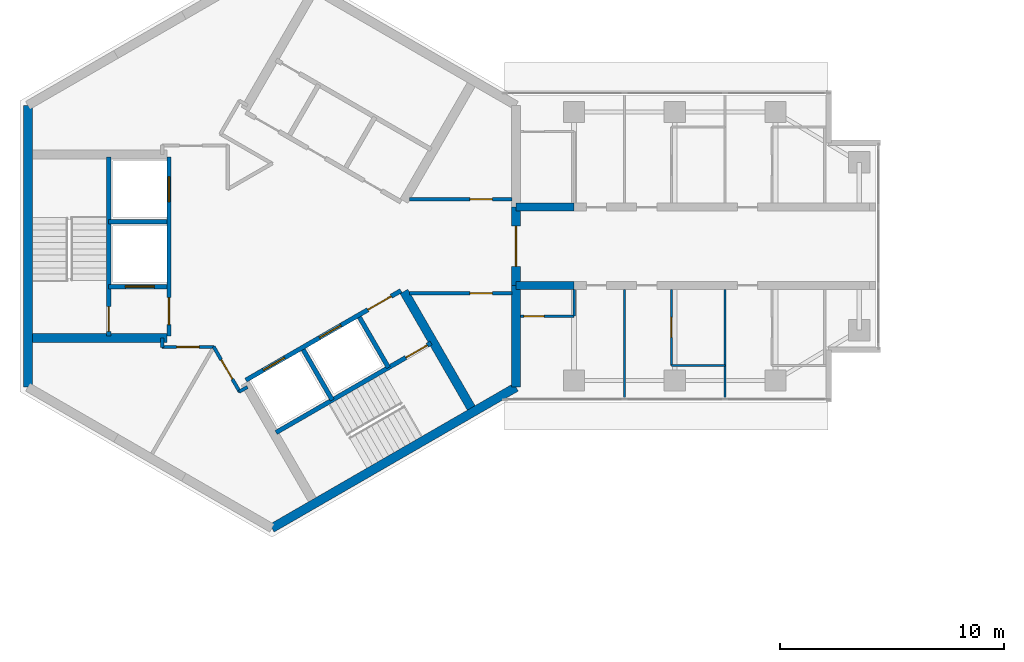
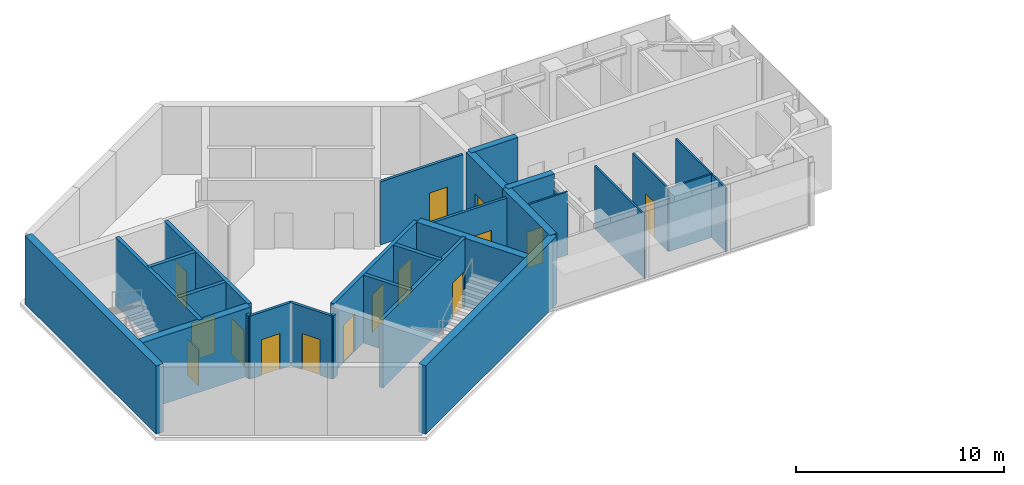
# One storey, part 5 of 11: 28 walls, 15 doors, 15 openings.
"""IFC4 building model written with IfcOpenShell, lengths in metres."""

from ifc_helpers import new_model, si_unit, direction, frame, frame_2d, origin, place, context, subcontext, project, spatial, rectangle, extrude, material, layer, layer_set, type_object, element, fill, save


model = new_model("IFC4")

# Units and contexts
model_context = context("Model", 3, precision=1e-05, world=origin(), true_north=direction((0.0, 1.0)))
body_context = subcontext(model_context, "Body", "Model", "MODEL_VIEW")
ifc_project = project(units=[si_unit("LENGTHUNIT", "METRE"), si_unit("AREAUNIT", "SQUARE_METRE"), si_unit("VOLUMEUNIT", "CUBIC_METRE"), si_unit("PLANEANGLEUNIT", "RADIAN"), si_unit("MASSUNIT", "GRAM", prefix="KILO")], contexts=[model_context])

# Site, building, storey
site_placement = place(None, origin())
site = spatial("IfcSite", under=ifc_project, at=site_placement, CompositionType="ELEMENT")
building_placement = place(site_placement, origin())
building = spatial("IfcBuilding", under=site, at=building_placement, Name="Upepo Twin Towers", CompositionType="ELEMENT")
storey_placement = place(building_placement, frame((0.0, 0.0, 287.5)))
storey = spatial("IfcBuildingStorey", under=building, at=storey_placement, Name="L70", CompositionType="ELEMENT", Elevation=287.5)

# Walls
ifc_material_1 = material(Name="Concrete C60/75", Category="concrete")
ifc_layer_1 = layer(ifc_material_1, 0.35009765625)
ifc_layer_set_1 = layer_set([ifc_layer_1], Name="Concrete C60/75")
wall_type_1 = type_object("IfcWallType", Name="Buttress wall 350 RC", PredefinedType="SHEAR", material=ifc_layer_set_1)
for number, where, z_axis, x_axis, name in (
    (1, (10.908447265625, 1.75, 0.0), (0.0, 0.0, 1.0), (1.0, 0.0, 0.0), "T1 wing A buttress wall L"),
    (2, (10.908447265625, -1.75, 0.0), (0.0, 0.0, 1.0), (1.0, 0.0, 0.0), "T1 wing A buttress wall R"),
):
    element("IfcWall", number, at=place(storey_placement, frame(where, z_axis=z_axis, x_axis=x_axis)), inside=storey, type_object=wall_type_1, Name=name, PredefinedType="SHEAR", context=body_context, shape_type="SweptSolid", body=[
        extrude(rectangle(XDim=2.591552734375, YDim=0.35009765625, at=frame_2d((1.2958984375, 0.0))), origin(), (0.0, 0.0, 1.0), 4.0),
    ])
ifc_material_2 = material(Name="Concrete C60/75", Category="concrete")
ifc_layer_2 = layer(ifc_material_2, 0.39990234375)
ifc_layer_set_2 = layer_set([ifc_layer_2], Name="Concrete C60/75")
wall_type_2 = type_object("IfcWallType", Name="Core wall 400 RC", PredefinedType="SHEAR", material=ifc_layer_set_2)
wall_1_placement = place(storey_placement, frame((10.908447265625, -6.2978515625, 0.0), z_axis=(0.0, 0.0, 1.0), x_axis=(0.0, 1.0, 0.0)))
element("IfcWall", 3, at=wall_1_placement, inside=storey, type_object=wall_type_2, Name="T1 core wall 000 R", PredefinedType="SHEAR", context=body_context, shape_type="SweptSolid", body=[
    extrude(rectangle(XDim=4.5478515625, YDim=0.39990234375, at=frame_2d((2.27392578125, 0.0))), origin(), (0.0, 0.0, 1.0), 4.0),
])

# Wall, opening, door
wall_2_placement = place(storey_placement, frame((10.908447265625, -1.75, 0.0), z_axis=(0.0, 0.0, 1.0), x_axis=(0.0, 1.0, 0.0)))
wall_2 = element("IfcWall", 4, at=wall_2_placement, inside=storey, type_object=wall_type_2, Name="T1 core wall 000", PredefinedType="SHEAR", context=body_context, shape_type="SweptSolid", body=[
    extrude(rectangle(XDim=3.5, YDim=0.39990234375, at=frame_2d((1.75, 0.0))), origin(), (0.0, 0.0, 1.0), 4.0),
])
opening_1_placement = place(wall_2_placement, frame((0.85009765625, 0.0, 0.0)))
opening_1 = element("IfcOpeningElement", 5, at=opening_1_placement, cuts=wall_2, Name="Opening D2", PredefinedType="OPENING", context=body_context, shape_type="SweptSolid", body=[
    extrude(rectangle(XDim=1.800048828125, YDim=2.10009765625, at=frame_2d((0.89990234375, 1.050048828125))), frame((0.0, 0.2099609375, 0.0), z_axis=(0.0, -1.0, 0.0), x_axis=(1.0, 0.0, 0.0)), (0.0, 0.0, 1.0), 0.419921875),
])
ifc_material_3 = material(Name="Timber doorset", Category="wood")
door_type_1 = type_object("IfcDoorType", Name="Corridor double door 1800 FD60", OperationType="DOUBLE_DOOR_DOUBLE_SWING", PredefinedType="DOOR", material=ifc_material_3)
door_1_placement = place(opening_1_placement, origin())
door_1 = element("IfcDoor", 6, at=door_1_placement, inside=storey, type_object=door_type_1, Name="T1 L70 wing A corridor door", OperationType="DOUBLE_DOOR_DOUBLE_SWING", OverallHeight=2.10009765625, OverallWidth=1.800048828125, PredefinedType="DOOR", context=body_context, shape_type="SweptSolid", body=[
    extrude(rectangle(XDim=1.800048828125, YDim=2.10009765625, at=frame_2d((0.89990234375, 1.050048828125))), frame((0.0, 0.02490234375, 0.0), z_axis=(0.0, -1.0, 0.0), x_axis=(1.0, 0.0, 0.0)), (0.0, 0.0, 1.0), 0.050048828125),
])
fill(opening_1, door_1)

# Walls
wall_3_placement = place(storey_placement, frame((-10.908447265625, 6.2978515625, 0.0), z_axis=(0.0, 0.0, 1.0), x_axis=(0.0, -1.0, 0.0)))
element("IfcWall", 7, at=wall_3_placement, inside=storey, type_object=wall_type_2, Name="T1 core wall 180", PredefinedType="SHEAR", context=body_context, shape_type="SweptSolid", body=[
    extrude(rectangle(XDim=12.595703125, YDim=0.39990234375, at=frame_2d((6.2978515625, 0.0))), origin(), (0.0, 0.0, 1.0), 4.0),
])
wall_4_placement = place(storey_placement, frame((0.0, -12.595947265625, 0.0), z_axis=(0.0, 0.0, 1.0), x_axis=(0.866021940709, 0.500005998175, 0.0)))
element("IfcWall", 8, at=wall_4_placement, inside=storey, type_object=wall_type_2, Name="T1 core wall 300", PredefinedType="SHEAR", context=body_context, shape_type="SweptSolid", body=[
    extrude(rectangle(XDim=12.595947265625, YDim=0.39990234375, at=frame_2d((6.2978515625, 0.0))), origin(), (0.0, 0.0, 1.0), 4.0),
])
ifc_material_4 = material(Name="Gypsum board on steel studs", Category="steel")
ifc_layer_3 = layer(ifc_material_4, 0.10009765625)
ifc_layer_set_3 = layer_set([ifc_layer_3], Name="Office partition 100 stud")
wall_type_3 = type_object("IfcWallType", Name="Office partition 100 stud", PredefinedType="PARTITIONING", material=ifc_layer_set_3)
for number, where, z_axis, x_axis, name in (
    (9, (15.75, -1.925048828125, 0.0), (0.0, 0.0, 1.0), (0.0, -1.0, 0.0), "T1 partition AR at 15.75"),
    (10, (20.25, -1.925048828125, 0.0), (0.0, 0.0, 1.0), (0.0, -1.0, 0.0), "T1 partition AR at 20.25"),
):
    element("IfcWall", number, at=place(storey_placement, frame(where, z_axis=z_axis, x_axis=x_axis)), inside=storey, type_object=wall_type_3, Name=name, PredefinedType="PARTITIONING", context=body_context, shape_type="SweptSolid", body=[
        extrude(rectangle(XDim=4.824951171875, YDim=0.10009765625, at=frame_2d((2.41259765625, 0.0))), origin(), (0.0, 0.0, 1.0), 3.699951171875),
    ])
wall_5_placement = place(storey_placement, frame((17.85009765625, -5.324951171875, 0.0), z_axis=(0.0, 0.0, 1.0), x_axis=(1.0, 0.0, 0.0)))
element("IfcWall", 11, at=wall_5_placement, inside=storey, type_object=wall_type_3, Name="T1 inner room partition AR at 17.85", PredefinedType="PARTITIONING", context=body_context, shape_type="SweptSolid", body=[
    extrude(rectangle(XDim=2.39990234375, YDim=0.10009765625, at=frame_2d((1.199951171875, 0.0))), origin(), (0.0, 0.0, 1.0), 3.699951171875),
])

# Wall, opening, door
wall_6_placement = place(storey_placement, frame((17.85009765625, -1.925048828125, 0.0), z_axis=(0.0, 0.0, 1.0), x_axis=(0.0, -1.0, 0.0)))
wall_6 = element("IfcWall", 12, at=wall_6_placement, inside=storey, type_object=wall_type_3, Name="T1 inner room partition AR end at 17.85", PredefinedType="PARTITIONING", context=body_context, shape_type="SweptSolid", body=[
    extrude(rectangle(XDim=3.39990234375, YDim=0.10009765625, at=frame_2d((1.699951171875, 0.0))), origin(), (0.0, 0.0, 1.0), 3.699951171875),
])
opening_2_placement = place(wall_6_placement, frame((1.25, 0.0, 0.0)))
opening_2 = element("IfcOpeningElement", 13, at=opening_2_placement, cuts=wall_6, Name="Opening D14", PredefinedType="OPENING", context=body_context, shape_type="SweptSolid", body=[
    extrude(rectangle(XDim=0.89990234375, YDim=2.10009765625, at=frame_2d((0.449951171875, 1.050048828125))), frame((0.0, 0.06005859375, 0.0), z_axis=(0.0, -1.0, 0.0), x_axis=(1.0, 0.0, 0.0)), (0.0, 0.0, 1.0), 0.1201171875),
])
ifc_material_5 = material(Name="Timber doorset", Category="wood")
door_type_2 = type_object("IfcDoorType", Name="Office door 900 FD30", OperationType="SINGLE_SWING_LEFT", PredefinedType="DOOR", material=ifc_material_5)
door_2_placement = place(opening_2_placement, origin())
door_2 = element("IfcDoor", 14, at=door_2_placement, inside=storey, type_object=door_type_2, Name="T1 L70 inner room door", OperationType="SINGLE_SWING_LEFT", OverallHeight=2.10009765625, OverallWidth=0.89990234375, PredefinedType="DOOR", context=body_context, shape_type="SweptSolid", body=[
    extrude(rectangle(XDim=0.89990234375, YDim=2.10009765625, at=frame_2d((0.449951171875, 1.050048828125))), frame((0.0, 0.02490234375, 0.0), z_axis=(0.0, -1.0, 0.0), x_axis=(1.0, 0.0, 0.0)), (0.0, 0.0, 1.0), 0.050048828125),
])
fill(opening_2, door_2)

wall_7_placement = place(storey_placement, frame((11.10791015625, -3.125, 0.0), z_axis=(0.0, 0.0, 1.0), x_axis=(1.0, 0.0, 0.0)))
wall_7 = element("IfcWall", 15, at=wall_7_placement, inside=storey, type_object=wall_type_3, Name="T1 WC bay partition AR at 11.11", PredefinedType="PARTITIONING", context=body_context, shape_type="SweptSolid", body=[
    extrude(rectangle(XDim=2.400146484375, YDim=0.10009765625, at=frame_2d((1.2001953125, 0.0))), origin(), (0.0, 0.0, 1.0), 3.699951171875),
])
opening_3_placement = place(wall_7_placement, frame((0.14990234375, 0.0, 0.0)))
opening_3 = element("IfcOpeningElement", 16, at=opening_3_placement, cuts=wall_7, Name="Opening D14", PredefinedType="OPENING", context=body_context, shape_type="SweptSolid", body=[
    extrude(rectangle(XDim=0.89990234375, YDim=2.10009765625, at=frame_2d((0.449951171875, 1.050048828125))), frame((0.0, 0.06005859375, 0.0), z_axis=(0.0, -1.0, 0.0), x_axis=(1.0, 0.0, 0.0)), (0.0, 0.0, 1.0), 0.1201171875),
])
door_3_placement = place(opening_3_placement, origin())
door_3 = element("IfcDoor", 17, at=door_3_placement, inside=storey, type_object=door_type_2, Name="T1 L70 WC bay inner room door", OperationType="SINGLE_SWING_LEFT", OverallHeight=2.10009765625, OverallWidth=0.89990234375, PredefinedType="DOOR", context=body_context, shape_type="SweptSolid", body=[
    extrude(rectangle(XDim=0.89990234375, YDim=2.10009765625, at=frame_2d((0.449951171875, 1.050048828125))), frame((0.0, 0.02490234375, 0.0), z_axis=(0.0, -1.0, 0.0), x_axis=(1.0, 0.0, 0.0)), (0.0, 0.0, 1.0), 0.050048828125),
])
fill(opening_3, door_3)

# Wall
wall_8_placement = place(storey_placement, frame((13.508056640625, -1.925048828125, 0.0), z_axis=(0.0, 0.0, 1.0), x_axis=(0.0, -1.0, 0.0)))
element("IfcWall", 18, at=wall_8_placement, inside=storey, type_object=wall_type_3, Name="T1 WC bay partition AR end at 13.51", PredefinedType="PARTITIONING", context=body_context, shape_type="SweptSolid", body=[
    extrude(rectangle(XDim=1.199951171875, YDim=0.10009765625, at=frame_2d((0.60009765625, 0.0))), origin(), (0.0, 0.0, 1.0), 3.1669921875),
])

# Wall, openings, doors
ifc_material_6 = material(Name="Concrete C40/50", Category="concrete")
ifc_layer_4 = layer(ifc_material_6, 0.199951171875)
ifc_layer_set_4 = layer_set([ifc_layer_4], Name="Concrete C40/50")
wall_type_4 = type_object("IfcWallType", Name="Shaft wall 200 RC", PredefinedType="SHEAR", material=ifc_layer_set_4)
wall_9_placement = place(storey_placement, frame((-4.60009765625, 4.0, 0.0), z_axis=(0.0, 0.0, 1.0), x_axis=(0.0, -1.0, 0.0)))
wall_9 = element("IfcWall", 19, at=wall_9_placement, inside=storey, type_object=wall_type_4, Name="T1 core W180 front wall", PredefinedType="SHEAR", context=body_context, shape_type="SweptSolid", body=[
    extrude(rectangle(XDim=8.0, YDim=0.199951171875, at=frame_2d((4.0, 0.0))), origin(), (0.0, 0.0, 1.0), 4.0),
])
opening_4_placement = place(wall_9_placement, frame((6.300048828125, 0.0, 0.0)))
opening_4 = element("IfcOpeningElement", 20, at=opening_4_placement, cuts=wall_9, Name="Opening D4", PredefinedType="OPENING", context=body_context, shape_type="SweptSolid", body=[
    extrude(rectangle(XDim=1.199951171875, YDim=2.10009765625, at=frame_2d((0.60009765625, 1.050048828125))), frame((0.0, 0.10986328125, 0.0), z_axis=(0.0, -1.0, 0.0), x_axis=(1.0, 0.0, 0.0)), (0.0, 0.0, 1.0), 0.219970703125),
])
opening_5_placement = place(wall_9_placement, frame((0.89990234375, 0.0, 0.0)))
opening_5 = element("IfcOpeningElement", 21, at=opening_5_placement, cuts=wall_9, Name="Opening LD1", PredefinedType="OPENING", context=body_context, shape_type="SweptSolid", body=[
    extrude(rectangle(XDim=1.10009765625, YDim=2.199951171875, at=frame_2d((0.550048828125, 1.10009765625))), frame((0.0, 0.10986328125, 0.0), z_axis=(0.0, -1.0, 0.0), x_axis=(1.0, 0.0, 0.0)), (0.0, 0.0, 1.0), 0.219970703125),
])
ifc_material_7 = material(Name="Steel doorset", Category="steel")
door_type_3 = type_object("IfcDoorType", Name="Lift landing door 1100", OperationType="DOUBLE_DOOR_SLIDING", PredefinedType="DOOR", material=ifc_material_7)
door_4_placement = place(opening_5_placement, origin())
door_4 = element("IfcDoor", 22, at=door_4_placement, inside=storey, type_object=door_type_3, Name="T1 L70 lift SV1 landing door", OperationType="DOUBLE_DOOR_SLIDING", OverallHeight=2.199951171875, OverallWidth=1.10009765625, PredefinedType="DOOR", context=body_context, shape_type="SweptSolid", body=[
    extrude(rectangle(XDim=1.10009765625, YDim=2.199951171875, at=frame_2d((0.550048828125, 1.10009765625))), frame((0.0, 0.02490234375, 0.0), z_axis=(0.0, -1.0, 0.0), x_axis=(1.0, 0.0, 0.0)), (0.0, 0.0, 1.0), 0.050048828125),
])
fill(opening_5, door_4)
ifc_material_8 = material(Name="Timber doorset", Category="wood")
door_type_4 = type_object("IfcDoorType", Name="Lobby door 1200 FD60", OperationType="SINGLE_SWING_LEFT", PredefinedType="DOOR", material=ifc_material_8)
door_5_placement = place(opening_4_placement, origin())
door_5 = element("IfcDoor", 23, at=door_5_placement, inside=storey, type_object=door_type_4, Name="T1 L70 W180 lobby door", OperationType="SINGLE_SWING_RIGHT", OverallHeight=2.10009765625, OverallWidth=1.199951171875, PredefinedType="DOOR", context=body_context, shape_type="SweptSolid", body=[
    extrude(rectangle(XDim=1.199951171875, YDim=2.10009765625, at=frame_2d((0.60009765625, 1.050048828125))), frame((0.0, 0.02490234375, 0.0), z_axis=(0.0, -1.0, 0.0), x_axis=(1.0, 0.0, 0.0)), (0.0, 0.0, 1.0), 0.050048828125),
])
fill(opening_4, door_5)

# Wall
wall_10_placement = place(storey_placement, frame((-4.699951171875, 1.10009765625, 0.0), z_axis=(0.0, 0.0, 1.0), x_axis=(-1.0, 0.0, 0.0)))
element("IfcWall", 24, at=wall_10_placement, inside=storey, type_object=wall_type_4, Name="T1 core W180 shaft divider", PredefinedType="SHEAR", context=body_context, shape_type="SweptSolid", body=[
    extrude(rectangle(XDim=2.60009765625, YDim=0.199951171875, at=frame_2d((1.300048828125, 0.0))), origin(), (0.0, 0.0, 1.0), 4.0),
])

# Wall, opening, door
wall_11_placement = place(storey_placement, frame((-4.699951171875, -1.800048828125, 0.0), z_axis=(0.0, 0.0, 1.0), x_axis=(-1.0, 0.0, 0.0)))
wall_11 = element("IfcWall", 25, at=wall_11_placement, inside=storey, type_object=wall_type_4, Name="T1 core W180 lobby wall", PredefinedType="SHEAR", context=body_context, shape_type="SweptSolid", body=[
    extrude(rectangle(XDim=2.60009765625, YDim=0.199951171875, at=frame_2d((1.300048828125, 0.0))), origin(), (0.0, 0.0, 1.0), 4.0),
])
opening_6_placement = place(wall_11_placement, frame((0.550048828125, 0.0, 0.0)))
opening_6 = element("IfcOpeningElement", 26, at=opening_6_placement, cuts=wall_11, Name="Opening LD2", PredefinedType="OPENING", context=body_context, shape_type="SweptSolid", body=[
    extrude(rectangle(XDim=1.300048828125, YDim=2.199951171875, at=frame_2d((0.64990234375, 1.10009765625))), frame((0.0, 0.10986328125, 0.0), z_axis=(0.0, -1.0, 0.0), x_axis=(1.0, 0.0, 0.0)), (0.0, 0.0, 1.0), 0.219970703125),
])
ifc_material_9 = material(Name="Steel doorset", Category="steel")
door_type_5 = type_object("IfcDoorType", Name="Firefighting lift landing door 1300", OperationType="DOUBLE_DOOR_SLIDING", PredefinedType="DOOR", material=ifc_material_9)
door_6_placement = place(opening_6_placement, origin())
door_6 = element("IfcDoor", 27, at=door_6_placement, inside=storey, type_object=door_type_5, Name="T1 L70 firefighting lift landing door", OperationType="DOUBLE_DOOR_SLIDING", OverallHeight=2.199951171875, OverallWidth=1.300048828125, PredefinedType="DOOR", context=body_context, shape_type="SweptSolid", body=[
    extrude(rectangle(XDim=1.300048828125, YDim=2.199951171875, at=frame_2d((0.64990234375, 1.10009765625))), frame((0.0, 0.02490234375, 0.0), z_axis=(0.0, -1.0, 0.0), x_axis=(1.0, 0.0, 0.0)), (0.0, 0.0, 1.0), 0.050048828125),
])
fill(opening_6, door_6)

wall_12_placement = place(storey_placement, frame((-7.300048828125, 4.0, 0.0), z_axis=(0.0, 0.0, 1.0), x_axis=(0.0, -1.0, 0.0)))
wall_12 = element("IfcWall", 28, at=wall_12_placement, inside=storey, type_object=wall_type_4, Name="T1 core W180 stair wall", PredefinedType="SHEAR", context=body_context, shape_type="SweptSolid", body=[
    extrude(rectangle(XDim=8.0, YDim=0.199951171875, at=frame_2d((4.0, 0.0))), origin(), (0.0, 0.0, 1.0), 4.0),
])
opening_7_placement = place(wall_12_placement, frame((6.699951171875, 0.0, 0.0)))
opening_7 = element("IfcOpeningElement", 29, at=opening_7_placement, cuts=wall_12, Name="Opening D3", PredefinedType="OPENING", context=body_context, shape_type="SweptSolid", body=[
    extrude(rectangle(XDim=1.10009765625, YDim=2.10009765625, at=frame_2d((0.550048828125, 1.050048828125))), frame((0.0, 0.10986328125, 0.0), z_axis=(0.0, -1.0, 0.0), x_axis=(1.0, 0.0, 0.0)), (0.0, 0.0, 1.0), 0.219970703125),
])
ifc_material_10 = material(Name="Timber doorset", Category="wood")
door_type_6 = type_object("IfcDoorType", Name="Stair door 1100 FD60", OperationType="SINGLE_SWING_LEFT", PredefinedType="DOOR", material=ifc_material_10)
door_7_placement = place(opening_7_placement, origin())
door_7 = element("IfcDoor", 30, at=door_7_placement, inside=storey, type_object=door_type_6, Name="T1 L70 stair door", OperationType="SINGLE_SWING_RIGHT", OverallHeight=2.10009765625, OverallWidth=1.10009765625, PredefinedType="DOOR", context=body_context, shape_type="SweptSolid", body=[
    extrude(rectangle(XDim=1.10009765625, YDim=2.10009765625, at=frame_2d((0.550048828125, 1.050048828125))), frame((0.0, 0.02490234375, 0.0), z_axis=(0.0, -1.0, 0.0), x_axis=(1.0, 0.0, 0.0)), (0.0, 0.0, 1.0), 0.050048828125),
])
fill(opening_7, door_7)

# Wall, openings, doors
wall_13_placement = place(storey_placement, frame((-1.1640625, -5.983642578125, 0.0), z_axis=(0.0, 0.0, 1.0), x_axis=(0.866026010844, 0.49999894854, 0.0)))
wall_13 = element("IfcWall", 31, at=wall_13_placement, inside=storey, type_object=wall_type_4, Name="T1 core W300 front wall", PredefinedType="SHEAR", context=body_context, shape_type="SweptSolid", body=[
    extrude(rectangle(XDim=8.0, YDim=0.199951171875, at=frame_2d((4.0, 0.0))), origin(), (0.0, 0.0, 1.0), 4.0),
])
opening_8_placement = place(wall_13_placement, frame((6.300048828125, 0.0, 0.0)))
opening_8 = element("IfcOpeningElement", 32, at=opening_8_placement, cuts=wall_13, Name="Opening D4", PredefinedType="OPENING", context=body_context, shape_type="SweptSolid", body=[
    extrude(rectangle(XDim=1.199951171875, YDim=2.10009765625, at=frame_2d((0.60009765625, 1.050048828125))), frame((0.0, 0.10986328125, 0.0), z_axis=(0.0, -1.0, 0.0), x_axis=(1.0, 0.0, 0.0)), (0.0, 0.0, 1.0), 0.219970703125),
])
opening_9_placement = place(wall_13_placement, frame((0.89990234375, 0.0, 0.0)))
opening_9 = element("IfcOpeningElement", 33, at=opening_9_placement, cuts=wall_13, Name="Opening LD1", PredefinedType="OPENING", context=body_context, shape_type="SweptSolid", body=[
    extrude(rectangle(XDim=1.10009765625, YDim=2.199951171875, at=frame_2d((0.550048828125, 1.10009765625))), frame((0.0, 0.10986328125, 0.0), z_axis=(0.0, -1.0, 0.0), x_axis=(1.0, 0.0, 0.0)), (0.0, 0.0, 1.0), 0.219970703125),
])
opening_10_placement = place(wall_13_placement, frame((3.800048828125, 0.0, 0.0)))
opening_10 = element("IfcOpeningElement", 34, at=opening_10_placement, cuts=wall_13, Name="Opening LD1", PredefinedType="OPENING", context=body_context, shape_type="SweptSolid", body=[
    extrude(rectangle(XDim=1.10009765625, YDim=2.199951171875, at=frame_2d((0.550048828125, 1.10009765625))), frame((0.0, 0.10986328125, 0.0), z_axis=(0.0, -1.0, 0.0), x_axis=(1.0, 0.0, 0.0)), (0.0, 0.0, 1.0), 0.219970703125),
])
door_8_placement = place(opening_9_placement, origin())
door_8 = element("IfcDoor", 35, at=door_8_placement, inside=storey, type_object=door_type_3, Name="T1 L70 lift TL1 landing door", OperationType="DOUBLE_DOOR_SLIDING", OverallHeight=2.199951171875, OverallWidth=1.10009765625, PredefinedType="DOOR", context=body_context, shape_type="SweptSolid", body=[
    extrude(rectangle(XDim=1.10009765625, YDim=2.199951171875, at=frame_2d((0.550048828125, 1.10009765625))), frame((0.0, 0.02490234375, 0.0), z_axis=(0.0, -1.0, 0.0), x_axis=(1.0, 0.0, 0.0)), (0.0, 0.0, 1.0), 0.050048828125),
])
fill(opening_9, door_8)
door_9_placement = place(opening_10_placement, origin())
door_9 = element("IfcDoor", 36, at=door_9_placement, inside=storey, type_object=door_type_3, Name="T1 L70 lift TL2 landing door", OperationType="DOUBLE_DOOR_SLIDING", OverallHeight=2.199951171875, OverallWidth=1.10009765625, PredefinedType="DOOR", context=body_context, shape_type="SweptSolid", body=[
    extrude(rectangle(XDim=1.10009765625, YDim=2.199951171875, at=frame_2d((0.550048828125, 1.10009765625))), frame((0.0, 0.02490234375, 0.0), z_axis=(0.0, -1.0, 0.0), x_axis=(1.0, 0.0, 0.0)), (0.0, 0.0, 1.0), 0.050048828125),
])
fill(opening_10, door_9)
door_10_placement = place(opening_8_placement, origin())
door_10 = element("IfcDoor", 37, at=door_10_placement, inside=storey, type_object=door_type_4, Name="T1 L70 W300 lobby door", OperationType="SINGLE_SWING_RIGHT", OverallHeight=2.10009765625, OverallWidth=1.199951171875, PredefinedType="DOOR", context=body_context, shape_type="SweptSolid", body=[
    extrude(rectangle(XDim=1.199951171875, YDim=2.10009765625, at=frame_2d((0.60009765625, 1.050048828125))), frame((0.0, 0.02490234375, 0.0), z_axis=(0.0, -1.0, 0.0), x_axis=(1.0, 0.0, 0.0)), (0.0, 0.0, 1.0), 0.050048828125),
])
fill(opening_8, door_10)

# Walls
wall_14_placement = place(storey_placement, frame((1.3974609375, -4.620361328125, 0.0), z_axis=(0.0, 0.0, 1.0), x_axis=(0.499936506574, -0.866062058628, 0.0)))
element("IfcWall", 38, at=wall_14_placement, inside=storey, type_object=wall_type_4, Name="T1 core W300 shaft divider", PredefinedType="SHEAR", context=body_context, shape_type="SweptSolid", body=[
    extrude(rectangle(XDim=2.599853515625, YDim=0.199951171875, at=frame_2d((1.2998046875, 0.0))), origin(), (0.0, 0.0, 1.0), 4.0),
])
wall_15_placement = place(storey_placement, frame((3.908935546875, -3.17041015625, 0.0), z_axis=(0.0, 0.0, 1.0), x_axis=(0.49997716683, -0.86603858612, 0.0)))
element("IfcWall", 39, at=wall_15_placement, inside=storey, type_object=wall_type_4, Name="T1 core W300 lobby wall", PredefinedType="SHEAR", context=body_context, shape_type="SweptSolid", body=[
    extrude(rectangle(XDim=2.599609375, YDim=0.199951171875, at=frame_2d((1.2998046875, 0.0))), origin(), (0.0, 0.0, 1.0), 4.0),
])

# Wall, opening, door
wall_16_placement = place(storey_placement, frame((0.185791015625, -8.322021484375, 0.0), z_axis=(0.0, 0.0, 1.0), x_axis=(0.866026010844, 0.49999894854, 0.0)))
wall_16 = element("IfcWall", 40, at=wall_16_placement, inside=storey, type_object=wall_type_4, Name="T1 core W300 stair wall", PredefinedType="SHEAR", context=body_context, shape_type="SweptSolid", body=[
    extrude(rectangle(XDim=8.0, YDim=0.199951171875, at=frame_2d((4.0, 0.0))), origin(), (0.0, 0.0, 1.0), 4.0),
])
opening_11_placement = place(wall_16_placement, frame((6.699951171875, 0.0, 0.0)))
opening_11 = element("IfcOpeningElement", 41, at=opening_11_placement, cuts=wall_16, Name="Opening D3", PredefinedType="OPENING", context=body_context, shape_type="SweptSolid", body=[
    extrude(rectangle(XDim=1.10009765625, YDim=2.10009765625, at=frame_2d((0.550048828125, 1.050048828125))), frame((0.0, 0.10986328125, 0.0), z_axis=(0.0, -1.0, 0.0), x_axis=(1.0, 0.0, 0.0)), (0.0, 0.0, 1.0), 0.219970703125),
])
door_11_placement = place(opening_11_placement, origin())
door_11 = element("IfcDoor", 42, at=door_11_placement, inside=storey, type_object=door_type_6, Name="T1 L70 stair door", OperationType="SINGLE_SWING_RIGHT", OverallHeight=2.10009765625, OverallWidth=1.10009765625, PredefinedType="DOOR", context=body_context, shape_type="SweptSolid", body=[
    extrude(rectangle(XDim=1.10009765625, YDim=2.10009765625, at=frame_2d((0.550048828125, 1.050048828125))), frame((0.0, 0.02490234375, 0.0), z_axis=(0.0, -1.0, 0.0), x_axis=(1.0, 0.0, 0.0)), (0.0, 0.0, 1.0), 0.050048828125),
])
fill(opening_11, door_11)

# Walls
ifc_material_11 = material(Name="Concrete C40/50", Category="concrete")
ifc_layer_5 = layer(ifc_material_11, 0.39990234375)
ifc_layer_set_5 = layer_set([ifc_layer_5], Name="Concrete C40/50")
wall_type_5 = type_object("IfcWallType", Name="Shaft wall 400 RC", PredefinedType="SHEAR", material=ifc_layer_set_5)
for number, where, z_axis, x_axis, name in (
    (43, (-4.699951171875, -4.10009765625, 0.0), (0.0, 0.0, 1.0), (-1.0, 0.0, 0.0), "T1 core W180 side wall N"),
    (44, (5.900634765625, -2.020263671875, 0.0), (0.0, 0.0, 1.0), (0.499997979876, -0.866026570101, 0.0), "T1 core W300 side wall N"),
):
    element("IfcWall", number, at=place(storey_placement, frame(where, z_axis=z_axis, x_axis=x_axis)), inside=storey, type_object=wall_type_5, Name=name, PredefinedType="SHEAR", context=body_context, shape_type="SweptSolid", body=[
        extrude(rectangle(XDim=6.00830078125, YDim=0.39990234375, at=frame_2d((3.004150390625, 0.0))), origin(), (0.0, 0.0, 1.0), 4.0),
    ])

# Wall, opening, door
ifc_material_12 = material(Name="Gypsum board on steel studs", Category="steel")
ifc_layer_6 = layer(ifc_material_12, 0.14990234375)
ifc_layer_set_6 = layer_set([ifc_layer_6], Name="Teaching partition 150 acoustic")
wall_type_6 = type_object("IfcWallType", Name="Teaching partition 150 acoustic", PredefinedType="PARTITIONING", material=ifc_layer_set_6)
wall_17_placement = place(storey_placement, frame((-1.43701171875, -6.5107421875, 0.0), z_axis=(0.0, 0.0, 1.0), x_axis=(-0.500074377092, 0.865982457891, 0.0)))
wall_17 = element("IfcWall", 45, at=wall_17_placement, inside=storey, type_object=wall_type_6, Name="T1 core room partition 1", PredefinedType="PARTITIONING", context=body_context, shape_type="SweptSolid", body=[
    extrude(rectangle(XDim=2.342041015625, YDim=0.14990234375, at=frame_2d((1.1708984375, 0.0))), origin(), (0.0, 0.0, 1.0), 3.699951171875),
])
opening_12_placement = place(wall_17_placement, frame((0.660888671875, 0.0, 0.0)))
opening_12 = element("IfcOpeningElement", 46, at=opening_12_placement, cuts=wall_17, Name="Opening D1", PredefinedType="OPENING", context=body_context, shape_type="SweptSolid", body=[
    extrude(rectangle(XDim=1.0, YDim=2.10009765625, at=frame_2d((0.5, 1.050048828125))), frame((0.0, 0.0849609375, 0.0), z_axis=(0.0, -1.0, 0.0), x_axis=(1.0, 0.0, 0.0)), (0.0, 0.0, 1.0), 0.169921875),
])
ifc_material_13 = material(Name="Timber doorset", Category="wood")
door_type_7 = type_object("IfcDoorType", Name="Room door 1000 FD30", OperationType="SINGLE_SWING_LEFT", PredefinedType="DOOR", material=ifc_material_13)
door_12_placement = place(opening_12_placement, origin())
door_12 = element("IfcDoor", 47, at=door_12_placement, inside=storey, type_object=door_type_7, Name="T1 L70 core room door K2", OperationType="SINGLE_SWING_LEFT", OverallHeight=2.10009765625, OverallWidth=1.0, PredefinedType="DOOR", context=body_context, shape_type="SweptSolid", body=[
    extrude(rectangle(XDim=1.0, YDim=2.10009765625, at=frame_2d((0.5, 1.050048828125))), frame((0.0, 0.02490234375, 0.0), z_axis=(0.0, -1.0, 0.0), x_axis=(1.0, 0.0, 0.0)), (0.0, 0.0, 1.0), 0.050048828125),
])
fill(opening_12, door_12)

wall_18_placement = place(storey_placement, frame((-2.578125, -4.5, 0.0), z_axis=(0.0, 0.0, 1.0), x_axis=(-1.0, 0.0, 0.0)))
wall_18 = element("IfcWall", 48, at=wall_18_placement, inside=storey, type_object=wall_type_6, Name="T1 core room partition 2", PredefinedType="PARTITIONING", context=body_context, shape_type="SweptSolid", body=[
    extrude(rectangle(XDim=2.341796875, YDim=0.14990234375, at=frame_2d((1.1708984375, 0.0))), origin(), (0.0, 0.0, 1.0), 3.699951171875),
])
opening_13_placement = place(wall_18_placement, frame((0.68115234375, 0.0, 0.0)))
opening_13 = element("IfcOpeningElement", 49, at=opening_13_placement, cuts=wall_18, Name="Opening D1", PredefinedType="OPENING", context=body_context, shape_type="SweptSolid", body=[
    extrude(rectangle(XDim=1.0, YDim=2.10009765625, at=frame_2d((0.5, 1.050048828125))), frame((0.0, 0.0849609375, 0.0), z_axis=(0.0, -1.0, 0.0), x_axis=(1.0, 0.0, 0.0)), (0.0, 0.0, 1.0), 0.169921875),
])
door_13_placement = place(opening_13_placement, origin())
door_13 = element("IfcDoor", 50, at=door_13_placement, inside=storey, type_object=door_type_7, Name="T1 L70 core room door K1", OperationType="SINGLE_SWING_RIGHT", OverallHeight=2.10009765625, OverallWidth=1.0, PredefinedType="DOOR", context=body_context, shape_type="SweptSolid", body=[
    extrude(rectangle(XDim=1.0, YDim=2.10009765625, at=frame_2d((0.5, 1.050048828125))), frame((0.0, 0.02490234375, 0.0), z_axis=(0.0, -1.0, 0.0), x_axis=(1.0, 0.0, 0.0)), (0.0, 0.0, 1.0), 0.050048828125),
])
fill(opening_13, door_13)

# Wall
wall_19_placement = place(storey_placement, frame((-4.89990234375, -4.52001953125, 0.0), z_axis=(0.0, 0.0, 1.0), x_axis=(0.0, 1.0, 0.0)))
element("IfcWall", 51, at=wall_19_placement, inside=storey, type_object=wall_type_6, Name="T1 core room partition 3", PredefinedType="PARTITIONING", context=body_context, shape_type="SweptSolid", body=[
    extrude(rectangle(XDim=0.429931640625, YDim=0.14990234375, at=frame_2d((0.21484375, 0.0))), origin(), (0.0, 0.0, 1.0), 3.699951171875),
])

# Wall, opening, door
wall_20_placement = place(storey_placement, frame((6.142578125, 2.10009765625, 0.0), z_axis=(0.0, 0.0, 1.0), x_axis=(1.0, 0.0, 0.0)))
wall_20 = element("IfcWall", 52, at=wall_20_placement, inside=storey, type_object=wall_type_6, Name="T1 core room partition 11", PredefinedType="PARTITIONING", context=body_context, shape_type="SweptSolid", body=[
    extrude(rectangle(XDim=4.57568359375, YDim=0.14990234375, at=frame_2d((2.287841796875, 0.0))), origin(), (0.0, 0.0, 1.0), 3.699951171875),
])
opening_14_placement = place(wall_20_placement, frame((2.702880859375, 0.0, 0.0)))
opening_14 = element("IfcOpeningElement", 53, at=opening_14_placement, cuts=wall_20, Name="Opening D1", PredefinedType="OPENING", context=body_context, shape_type="SweptSolid", body=[
    extrude(rectangle(XDim=1.0, YDim=2.10009765625, at=frame_2d((0.5, 1.050048828125))), frame((0.0, 0.0849609375, 0.0), z_axis=(0.0, -1.0, 0.0), x_axis=(1.0, 0.0, 0.0)), (0.0, 0.0, 1.0), 0.169921875),
])
door_14_placement = place(opening_14_placement, origin())
door_14 = element("IfcDoor", 54, at=door_14_placement, inside=storey, type_object=door_type_7, Name="T1 L70 core room door K4", OperationType="SINGLE_SWING_RIGHT", OverallHeight=2.10009765625, OverallWidth=1.0, PredefinedType="DOOR", context=body_context, shape_type="SweptSolid", body=[
    extrude(rectangle(XDim=1.0, YDim=2.10009765625, at=frame_2d((0.5, 1.050048828125))), frame((0.0, 0.02490234375, 0.0), z_axis=(0.0, -1.0, 0.0), x_axis=(1.0, 0.0, 0.0)), (0.0, 0.0, 1.0), 0.050048828125),
])
fill(opening_14, door_14)

wall_21_placement = place(storey_placement, frame((10.71826171875, -2.10009765625, 0.0), z_axis=(0.0, 0.0, 1.0), x_axis=(-1.0, 0.0, 0.0)))
wall_21 = element("IfcWall", 55, at=wall_21_placement, inside=storey, type_object=wall_type_6, Name="T1 core room partition 12", PredefinedType="PARTITIONING", context=body_context, shape_type="SweptSolid", body=[
    extrude(rectangle(XDim=4.57568359375, YDim=0.14990234375, at=frame_2d((2.287841796875, 0.0))), origin(), (0.0, 0.0, 1.0), 3.699951171875),
])
opening_15_placement = place(wall_21_placement, frame((0.87255859375, 0.0, 0.0)))
opening_15 = element("IfcOpeningElement", 56, at=opening_15_placement, cuts=wall_21, Name="Opening D1", PredefinedType="OPENING", context=body_context, shape_type="SweptSolid", body=[
    extrude(rectangle(XDim=1.0, YDim=2.10009765625, at=frame_2d((0.5, 1.050048828125))), frame((0.0, 0.0849609375, 0.0), z_axis=(0.0, -1.0, 0.0), x_axis=(1.0, 0.0, 0.0)), (0.0, 0.0, 1.0), 0.169921875),
])
door_15_placement = place(opening_15_placement, origin())
door_15 = element("IfcDoor", 57, at=door_15_placement, inside=storey, type_object=door_type_7, Name="T1 L70 core room door K3", OperationType="SINGLE_SWING_LEFT", OverallHeight=2.10009765625, OverallWidth=1.0, PredefinedType="DOOR", context=body_context, shape_type="SweptSolid", body=[
    extrude(rectangle(XDim=1.0, YDim=2.10009765625, at=frame_2d((0.5, 1.050048828125))), frame((0.0, 0.02490234375, 0.0), z_axis=(0.0, -1.0, 0.0), x_axis=(1.0, 0.0, 0.0)), (0.0, 0.0, 1.0), 0.050048828125),
])
fill(opening_15, door_15)

# Wall
wall_22_placement = place(storey_placement, frame((-1.092041015625, -6.28857421875, 0.0), z_axis=(0.0, 0.0, 1.0), x_axis=(-0.866138304741, -0.499804398801, 0.0)))
element("IfcWall", 58, at=wall_22_placement, inside=storey, type_object=wall_type_6, Name="T1 core room partition 13", PredefinedType="PARTITIONING", context=body_context, shape_type="SweptSolid", body=[
    extrude(rectangle(XDim=0.429931640625, YDim=0.14990234375, at=frame_2d((0.21484375, 0.0))), origin(), (0.0, 0.0, 1.0), 3.699951171875),
])

save(model, "model.ifc")
